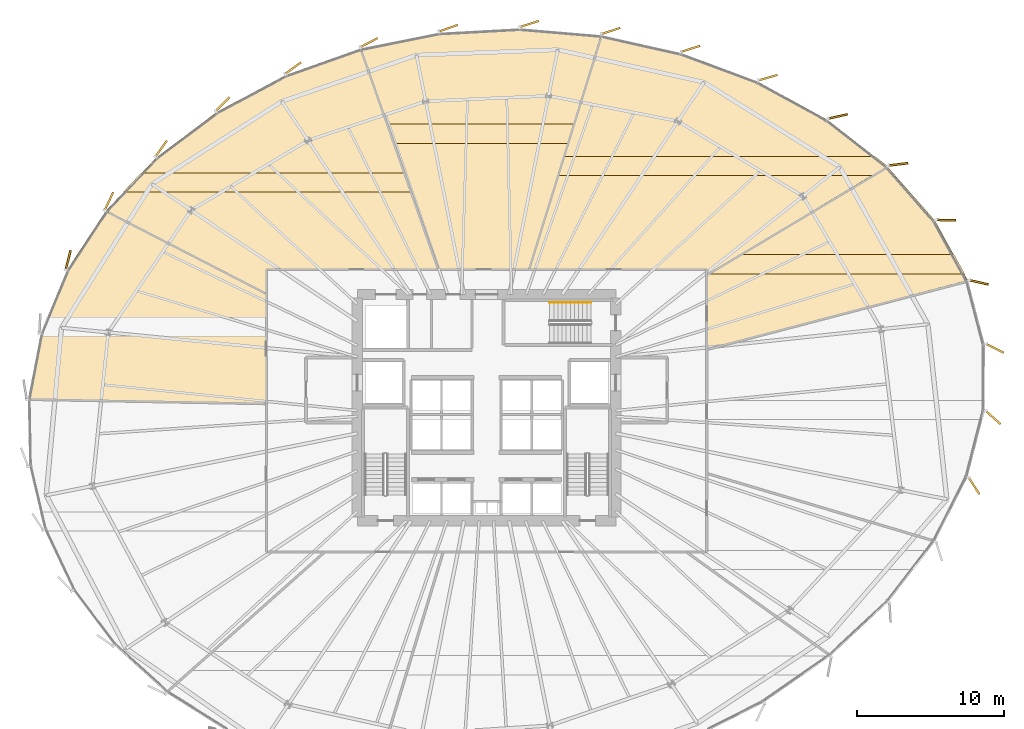
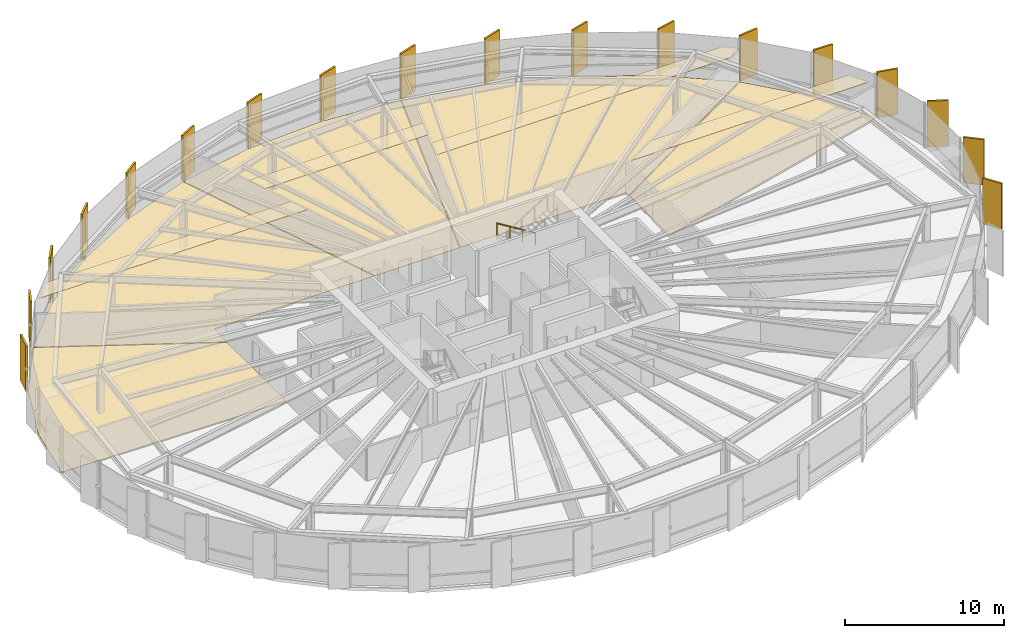
# One storey, part 37 of 37: 27 coverings, 1 railing.
"""IFC4 building model written with IfcOpenShell, lengths in metres."""

from ifc_helpers import new_model, si_unit, direction, frame, origin, origin_2d, place, context, subcontext, project, spatial, polyline, rectangle, circle, outline, extrude, source, transform, mapped, material, layer, layer_set, type_object, element, save


model = new_model("IFC4")

# Units and contexts
model_context = context("Model", 3, precision=1e-05, world=origin(), true_north=direction((0.0, 1.0)))
body_context = subcontext(model_context, "Body", "Model", "MODEL_VIEW")
ifc_project = project(units=[si_unit("LENGTHUNIT", "METRE"), si_unit("AREAUNIT", "SQUARE_METRE"), si_unit("VOLUMEUNIT", "CUBIC_METRE"), si_unit("PLANEANGLEUNIT", "RADIAN"), si_unit("MASSUNIT", "GRAM", prefix="KILO"), si_unit("THERMODYNAMICTEMPERATUREUNIT", "KELVIN")], contexts=[model_context])

# Site, building, storey
site_placement = place(None, origin())
site = spatial("IfcSite", under=ifc_project, at=site_placement, CompositionType="ELEMENT")
building_placement = place(site_placement, origin())
building = spatial("IfcBuilding", under=site, at=building_placement, Name="Kethvar Cultural Tower", CompositionType="ELEMENT")
storey_placement = place(building_placement, frame((0.0, 0.0, 60.0)))
storey = spatial("IfcBuildingStorey", under=building, at=storey_placement, Name="L14", CompositionType="ELEMENT", Elevation=60.0)

# Coverings
ifc_material_1 = material(Name="Acoustic Mineral Fibre Ceiling")
ifc_layer_1 = layer(ifc_material_1, 0.0400390625, Name="Acoustic Mineral Fibre Ceiling")
ifc_layer_set_1 = layer_set([ifc_layer_1], Name="Acoustic Mineral Fibre Ceiling (40 mm)")
covering_type_1 = type_object("IfcCoveringType", Name="CV-ACOUSTIC-CEIL", PredefinedType="CEILING", material=ifc_layer_set_1)
covering_1_placement = place(storey_placement, frame((0.0, 0.0, 2.56005859375)))
element("IfcCovering", 1, at=covering_1_placement, inside=storey, type_object=covering_type_1, Name="L14 Room 05 Acoustic Ceiling Panel", PredefinedType="CEILING", context=body_context, shape_type="SweptSolid", body=[
    extrude(outline(polyline([(79.346435546875, 36.910400390625), (61.908935546875, 36.910400390625), (64.087158203125, 38.22021484375), (78.626708984375, 38.22021484375), (79.346435546875, 36.910400390625)])), origin(), (0.0, 0.0, 1.0), 0.0400390625),
])
covering_2_placement = place(storey_placement, frame((0.0, 0.0, 2.56005859375)))
element("IfcCovering", 2, at=covering_2_placement, inside=storey, type_object=covering_type_1, Name="L14 Room 06 Acoustic Ceiling Panel", PredefinedType="CEILING", context=body_context, shape_type="SweptSolid", body=[
    extrude(outline(polyline([(74.10595703125, 44.23095703125), (73.107421875, 43.598388671875), (51.64501953125, 43.598388671875), (52.048583984375, 44.908447265625), (73.237060546875, 44.908447265625), (74.10595703125, 44.23095703125)])), origin(), (0.0, 0.0, 1.0), 0.0400390625),
])
covering_3_placement = place(storey_placement, frame((0.0, 0.0, 2.56005859375)))
element("IfcCovering", 3, at=covering_3_placement, inside=storey, type_object=covering_type_1, Name="L14 Room 07 Acoustic Ceiling Panel", PredefinedType="CEILING", context=body_context, shape_type="SweptSolid", body=[
    extrude(outline(polyline([(52.36083984375, 45.78662109375), (40.46630859375, 45.78662109375), (40.006591796875, 47.0966796875), (52.764404296875, 47.0966796875), (52.36083984375, 45.78662109375)])), origin(), (0.0, 0.0, 1.0), 0.0400390625),
])
covering_4_placement = place(storey_placement, frame((0.0, 0.0, 2.56005859375)))
element("IfcCovering", 4, at=covering_4_placement, inside=storey, type_object=covering_type_1, Name="L14 Room 08 Acoustic Ceiling Panel", PredefinedType="CEILING", context=body_context, shape_type="SweptSolid", body=[
    extrude(outline(polyline([(41.674560546875, 42.46435546875), (22.048583984375, 42.46435546875), (23.289794921875, 43.7744140625), (41.21484375, 43.7744140625), (41.674560546875, 42.46435546875)])), origin(), (0.0, 0.0, 1.0), 0.0400390625),
])
ifc_material_2 = material(Name="Architectural Oak Timber", Category="wood")
ifc_layer_2 = layer(ifc_material_2, 0.02490234375, Name="Architectural Oak Timber", Category="wood")
ifc_layer_set_2 = layer_set([ifc_layer_2], Name="Architectural Oak Timber (25 mm)")
covering_type_2 = type_object("IfcCoveringType", Name="CV-OAK-FLOOR", PredefinedType="FLOORING", material=ifc_layer_set_2)
covering_5_placement = place(storey_placement, origin())
element("IfcCovering", 5, at=covering_5_placement, inside=storey, type_object=covering_type_2, Name="L14 Room 05 Floor Finish", PredefinedType="FLOORING", context=body_context, shape_type="SweptSolid", body=[
    extrude(outline(polyline([(77.3193359375, 40.51611328125), (79.549560546875, 36.457275390625), (61.81005859375, 31.779052734375), (61.81005859375, 36.80419921875), (74.089599609375, 44.189453125), (77.3193359375, 40.51611328125)])), origin(), (0.0, 0.0, 1.0), 0.02490234375),
])
covering_6_placement = place(storey_placement, origin())
element("IfcCovering", 6, at=covering_6_placement, inside=storey, type_object=covering_type_2, Name="L14 Room 06 Floor Finish", PredefinedType="FLOORING", context=body_context, shape_type="SweptSolid", body=[
    extrude(outline(polyline([(60.06201171875, 51.916748046875), (65.25732421875, 49.9814453125), (69.99658203125, 47.38525390625), (74.058349609375, 44.21728515625), (61.81005859375, 36.850830078125), (61.7900390625, 37.219970703125), (49.722412109375, 37.219970703125), (54.62353515625, 53.13330078125), (60.06201171875, 51.916748046875)])), origin(), (0.0, 0.0, 1.0), 0.02490234375),
])
covering_7_placement = place(storey_placement, origin())
element("IfcCovering", 7, at=covering_7_placement, inside=storey, type_object=covering_type_2, Name="L14 Room 07 Floor Finish", PredefinedType="FLOORING", context=body_context, shape_type="SweptSolid", body=[
    extrude(outline(polyline([(43.57763671875, 53.306884765625), (49.06591796875, 53.606689453125), (54.58349609375, 53.13916015625), (49.680419921875, 37.219970703125), (43.51513671875, 37.219970703125), (38.243408203125, 52.240966796875), (43.57763671875, 53.306884765625)])), origin(), (0.0, 0.0, 1.0), 0.02490234375),
])
covering_8_placement = place(storey_placement, origin())
element("IfcCovering", 8, at=covering_8_placement, inside=storey, type_object=covering_type_2, Name="L14 Room 08 Floor Finish", PredefinedType="FLOORING", context=body_context, shape_type="SweptSolid", body=[
    extrude(outline(polyline([(24.327392578125, 44.811279296875), (28.448486328125, 47.923095703125), (33.127685546875, 50.423583984375), (38.204833984375, 52.23046875), (43.472900390625, 37.219970703125), (31.80810546875, 37.219970703125), (31.7900390625, 35.577392578125), (20.906005859375, 41.20068359375), (24.327392578125, 44.811279296875)])), origin(), (0.0, 0.0, 1.0), 0.02490234375),
])
covering_9_placement = place(storey_placement, origin())
element("IfcCovering", 9, at=covering_9_placement, inside=storey, type_object=covering_type_2, Name="L14 Room 09 Floor Finish", PredefinedType="FLOORING", context=body_context, shape_type="SweptSolid", body=[
    extrude(outline(polyline([(16.455322265625, 32.828369140625), (18.23828125, 37.147216796875), (20.880126953125, 41.1689453125), (31.7900390625, 35.532470703125), (31.7900390625, 28.088623046875), (15.59814453125, 28.37841796875), (16.455322265625, 32.828369140625)])), origin(), (0.0, 0.0, 1.0), 0.02490234375),
])

# Railing
ifc_material_3 = material(Name="Steel S355J2", Category="steel")
railing_type = type_object("IfcRailingType", Name="RL-STAIR-HANDRAIL", PredefinedType="HANDRAIL", material=ifc_material_3)
railing_placement = place(storey_placement, frame((53.89990234375, 34.9599609375, 0.172607421875)))
element("IfcRailing", 10, at=railing_placement, inside=storey, type_object=railing_type, Name="L14 ST-03 stair handrail 1", PredefinedType="HANDRAIL", context=body_context, shape_type="SweptSolid", body=[
    extrude(circle(Radius=0.02392578125, at=origin_2d()), frame((0.0, 0.0, 0.8759765625), z_axis=(-0.851069175582, 0.0, 0.525053576669), x_axis=(0.0, -1.0, 0.0)), (0.0, 0.0, 1.0), 3.289794921875),
    extrude(circle(Radius=0.02099609375, at=origin_2d()), origin(), (0.0, 0.0, 1.0), 0.851806640625),
    extrude(circle(Radius=0.02099609375, at=origin_2d()), frame((-0.933349609375, 0.0, 0.57568359375)), (0.0, 0.0, 1.0), 0.851806640625),
    extrude(circle(Radius=0.02099609375, at=origin_2d()), frame((-1.866455078125, 0.0, 1.151611328125)), (0.0, 0.0, 1.0), 0.851806640625),
    extrude(circle(Radius=0.02099609375, at=origin_2d()), frame((-2.7998046875, 0.0, 1.727294921875)), (0.0, 0.0, 1.0), 0.851806640625),
])

# Coverings
ifc_material_4 = material(Name="Extruded Architectural Terracotta", Category="masonry")
ifc_layer_3 = layer(ifc_material_4, 0.135009765625, Name="Extruded Architectural Terracotta", Category="masonry")
ifc_layer_set_3 = layer_set([ifc_layer_3], Name="Extruded Architectural Terracotta (135 mm)")
covering_type_3 = type_object("IfcCoveringType", Name="Terracotta Facade Fin FIN-01", PredefinedType="CLADDING", material=ifc_layer_set_3)
shared_shape = source(origin(), body_context, "Body", "SweptSolid", [
    extrude(rectangle(XDim=1.35009765625, YDim=0.135009765625, at=origin_2d()), origin(), (0.0, 0.0, 1.0), 3.510009765625),
])
for number, where, z_axis, x_axis, name in (
    (11, (81.387451171875, 31.843994140625, 0.02001953125), (0.0, 0.0, 1.0), (0.894544639838, -0.446978620671, 0.0), "L14 Vertical Terracotta Fin 1.1"),
    (12, (80.307861328125, 36.333740234375, 0.02001953125), (0.0, 0.0, 1.0), (0.975226629909, -0.22120809279, 0.0), "L14 Vertical Terracotta Fin 1.2"),
    (13, (78.07080078125, 40.5625, 0.02001953125), (0.0, 0.0, 1.0), (0.999648126594, -0.02652589294, 0.0), "L14 Vertical Terracotta Fin 1.3"),
    (14, (74.81298828125, 44.359619140625, 0.02001953125), (0.0, 0.0, 1.0), (0.992694302346, 0.120656628871, 0.0), "L14 Vertical Terracotta Fin 1.4"),
    (15, (70.70458984375, 47.62060546875, 0.02001953125), (0.0, 0.0, 1.0), (0.975611225314, 0.219505665171, 0.0), "L14 Vertical Terracotta Fin 1.5"),
    (16, (65.942138671875, 50.261474609375, 0.02001953125), (0.0, 0.0, 1.0), (0.960875896697, 0.276979261222, 0.0), "L14 Vertical Terracotta Fin 1.6"),
    (17, (60.687744140625, 52.2265625, 0.02001953125), (0.0, 0.0, 1.0), (0.953506786099, 0.301371546207, 0.0), "L14 Vertical Terracotta Fin 2.1"),
    (18, (55.259033203125, 53.444091796875, 0.02001953125), (0.0, 0.0, 1.0), (0.951540745537, 0.307522697673, 0.0), "L14 Vertical Terracotta Fin 2.2"),
    (19, (49.703857421875, 53.9150390625, 0.02001953125), (0.0, 0.0, 1.0), (0.951110435449, 0.308850998993, 0.0), "L14 Vertical Terracotta Fin 2.3"),
    (20, (44.196533203125, 53.62841796875, 0.02001953125), (0.0, 0.0, 1.0), (0.943743251565, 0.330679112019, 0.0), "L14 Vertical Terracotta Fin 2.4"),
    (21, (38.788330078125, 52.643798828125, 0.02001953125), (0.0, 0.0, 1.0), (0.886284426145, 0.463141356361, 0.0), "L14 Vertical Terracotta Fin 2.5"),
    (22, (33.627197265625, 50.910400390625, 0.02001953125), (0.0, 0.0, 1.0), (0.807784166349, 0.589478363128, 0.0), "L14 Vertical Terracotta Fin 2.6"),
    (23, (28.832763671875, 48.456298828125, 0.02001953125), (0.0, 0.0, 1.0), (0.706365913118, 0.707846873826, 0.0), "L14 Vertical Terracotta Fin 3.1"),
    (24, (24.6474609375, 45.43115234375, 0.02001953125), (0.0, 0.0, 1.0), (0.580134454392, 0.814520727071, 0.0), "L14 Vertical Terracotta Fin 3.2"),
    (25, (21.094970703125, 41.84912109375, 0.02001953125), (0.0, 0.0, 1.0), (0.427357863387, 0.904082549661, 0.0), "L14 Vertical Terracotta Fin 3.3"),
    (26, (18.314697265625, 37.8408203125, 0.02001953125), (0.0, 0.0, 1.0), (0.249197002009, 0.968452814643, 0.0), "L14 Vertical Terracotta Fin 3.4"),
    (27, (79.984619140625, 22.478759765625, 0.02001953125), (0.0, 0.0, 1.0), (0.541121252127, -0.840944582298, 0.0), "L14 Vertical Terracotta Fin 6.5"),
    (28, (81.28271484375, 27.12890625, 0.02001953125), (0.0, 0.0, 1.0), (0.745475999683, -0.666532470249, 0.0), "L14 Vertical Terracotta Fin 6.6"),
):
    element("IfcCovering", number, at=place(storey_placement, frame(where, z_axis=z_axis, x_axis=x_axis)), inside=storey, type_object=covering_type_3, Name=name, PredefinedType="CLADDING", context=body_context, shape_type="MappedRepresentation", body=[
        mapped(shared_shape, transform((0.0, 0.0, 0.0), scale=1.0)),
    ])

save(model, "model.ifc")
